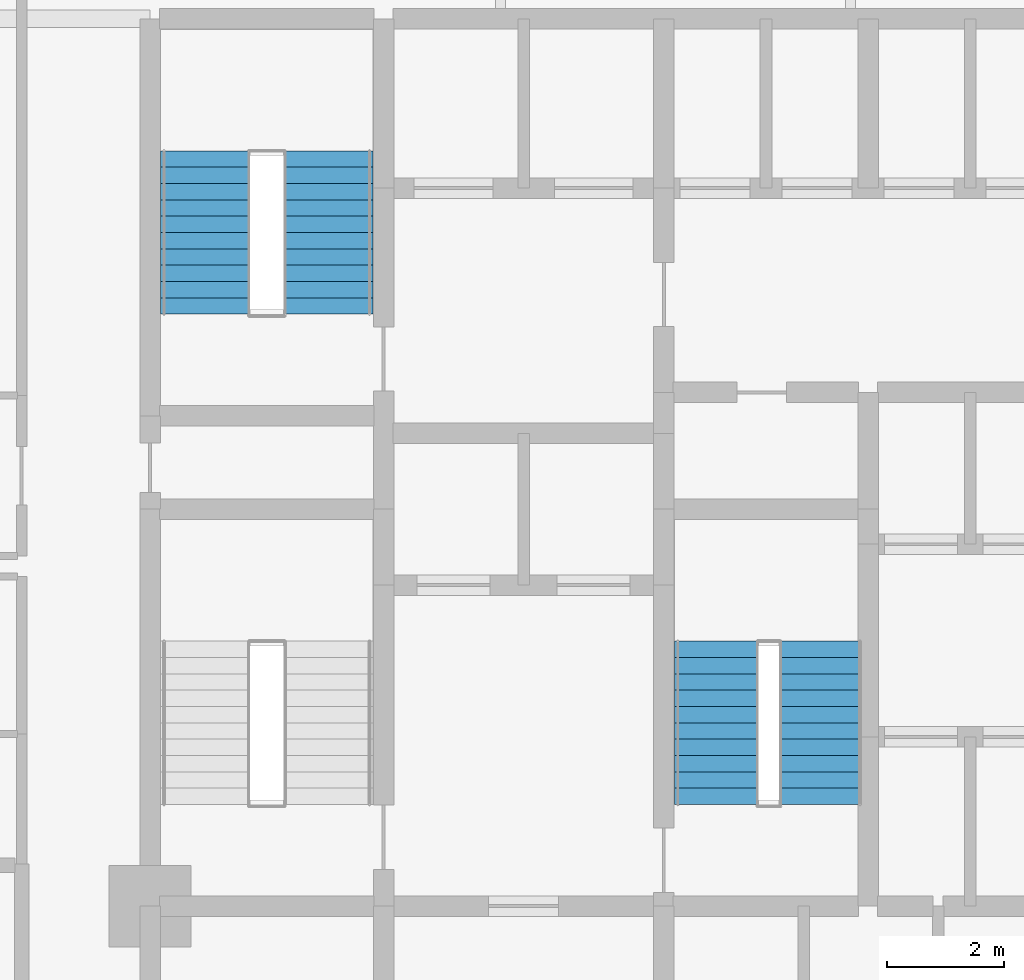
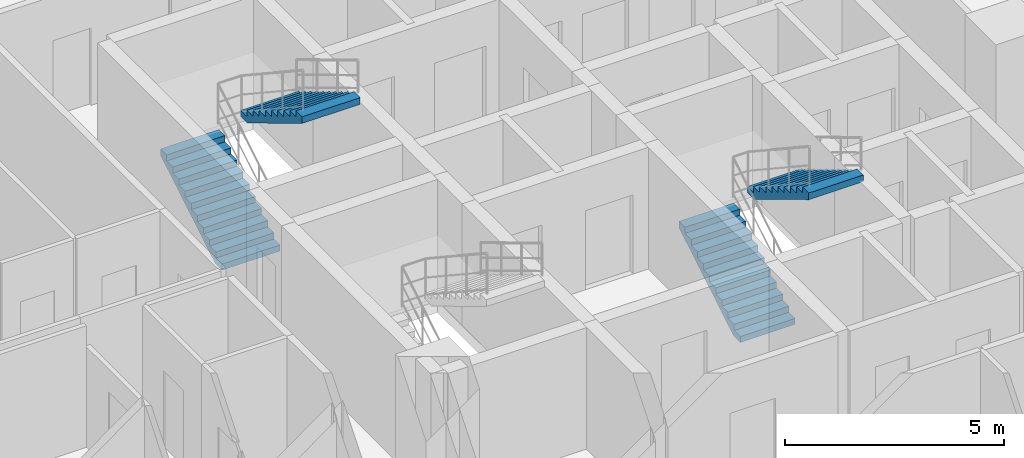
# One storey, part 32 of 34: 4 stair flights, 2 elements without a shape of their own.
"""IFC4 building model written with IfcOpenShell, lengths in metres."""

from ifc_helpers import new_model, si_unit, direction, frame, origin, place, context, subcontext, project, spatial, polyline, outline, extrude, material, type_object, element, aggregate, save


model = new_model("IFC4")

# Units and contexts
model_context = context("Model", 3, precision=1e-05, world=origin(), true_north=direction((0.0, 1.0)))
body_context = subcontext(model_context, "Body", "Model", "MODEL_VIEW")
ifc_project = project(units=[si_unit("LENGTHUNIT", "METRE"), si_unit("AREAUNIT", "SQUARE_METRE"), si_unit("VOLUMEUNIT", "CUBIC_METRE"), si_unit("PLANEANGLEUNIT", "RADIAN"), si_unit("MASSUNIT", "GRAM", prefix="KILO")], contexts=[model_context])

# Site, building, storey
site_placement = place(None, origin())
site = spatial("IfcSite", under=ifc_project, at=site_placement, CompositionType="ELEMENT")
building_placement = place(site_placement, origin())
building = spatial("IfcBuilding", under=site, at=building_placement, Name="Keshet Zoharim Tower", CompositionType="ELEMENT")
storey_placement = place(building_placement, frame((0.0, 0.0, 38.800048828125)))
storey = spatial("IfcBuildingStorey", under=building, at=storey_placement, Name="L08", CompositionType="ELEMENT", Elevation=38.800048828125)

# Stair, stair flights
ifc_material = material(Name="Concrete C50/60", Category="concrete")
stair_type = type_object("IfcStairType", Name="STR-EXIT-135", PredefinedType="HALF_TURN_STAIR", material=ifc_material)
stair_1_placement = place(storey_placement, origin())
stair_1 = element("IfcStair", 1, at=stair_1_placement, inside=storey, type_object=stair_type, Name="L08 Enclosed Exit Stair ST-02", PredefinedType="HALF_TURN_STAIR")
stair_flight_type_1 = type_object("IfcStairFlightType", Name="FLT-PRE-135", PredefinedType="STRAIGHT", material=ifc_material)
stair_flight_1_placement = place(storey_placement, frame((15.945068359375, 32.840087890625, 0.0), z_axis=(0.0, 0.0, 1.0), x_axis=(0.0, 1.0, 0.0)))
stair_flight_1 = element("IfcStairFlight", 2, at=stair_flight_1_placement, type_object=stair_flight_type_1, Name="ST-02 flight 1", NumberOfRisers=11, NumberOfTreads=10, PredefinedType="STRAIGHT", RiserHeight=0.168182, TreadLength=0.28, context=body_context, shape_type="SweptSolid", body=[
    extrude(outline(polyline([(0.0, 0.0), (0.0, 0.168212890625), (0.280029296875, 0.168212890625), (0.280029296875, 0.33642578125), (0.56005859375, 0.33642578125), (0.56005859375, 0.504638671875), (0.840087890625, 0.504638671875), (0.840087890625, 0.672607421875), (1.1201171875, 0.672607421875), (1.1201171875, 0.8408203125), (1.39990234375, 0.8408203125), (1.39990234375, 1.009033203125), (1.679931640625, 1.009033203125), (1.679931640625, 1.17724609375), (1.9599609375, 1.17724609375), (1.9599609375, 1.345458984375), (2.239990234375, 1.345458984375), (2.239990234375, 1.513671875), (2.52001953125, 1.513671875), (2.52001953125, 1.681884765625), (2.800048828125, 1.681884765625), (2.800048828125, 1.85009765625), (2.800048828125, 1.495361328125), (0.310546875, 0.0), (0.0, 0.0)])), frame((0.0, 0.76513671875, 0.0), z_axis=(0.0, -1.0, 0.0), x_axis=(1.0, 0.0, 0.0)), (0.0, 0.0, 1.0), 1.530029296875),
])
stair_flight_2_placement = place(storey_placement, frame((18.054931640625, 35.639892578125, 1.849853515625), z_axis=(0.0, 0.0, 1.0), x_axis=(0.0, -1.0, 0.0)))
stair_flight_2 = element("IfcStairFlight", 3, at=stair_flight_2_placement, type_object=stair_flight_type_1, Name="ST-02 flight 2", NumberOfRisers=11, NumberOfTreads=10, PredefinedType="STRAIGHT", RiserHeight=0.168182, TreadLength=0.28, context=body_context, shape_type="SweptSolid", body=[
    extrude(outline(polyline([(0.0, 0.0), (0.0, 0.168212890625), (0.280029296875, 0.168212890625), (0.280029296875, 0.33642578125), (0.56005859375, 0.33642578125), (0.56005859375, 0.504638671875), (0.840087890625, 0.504638671875), (0.840087890625, 0.672607421875), (1.1201171875, 0.672607421875), (1.1201171875, 0.8408203125), (1.39990234375, 0.8408203125), (1.39990234375, 1.009033203125), (1.679931640625, 1.009033203125), (1.679931640625, 1.17724609375), (1.9599609375, 1.17724609375), (1.9599609375, 1.345458984375), (2.239990234375, 1.345458984375), (2.239990234375, 1.513671875), (2.52001953125, 1.513671875), (2.52001953125, 1.681884765625), (2.800048828125, 1.681884765625), (2.800048828125, 1.85009765625), (2.800048828125, 1.495361328125), (0.310546875, 0.0), (0.0, 0.0)])), frame((0.0, 0.76513671875, 0.0), z_axis=(0.0, -1.0, 0.0), x_axis=(1.0, 0.0, 0.0)), (0.0, 0.0, 1.0), 1.530029296875),
])
aggregate(stair_1, [stair_flight_1, stair_flight_2])

stair_2_placement = place(storey_placement, origin())
stair_2 = element("IfcStair", 4, at=stair_2_placement, inside=storey, type_object=stair_type, Name="L08 Enclosed Exit Stair ST-03", PredefinedType="HALF_TURN_STAIR")
stair_flight_type_2 = type_object("IfcStairFlightType", Name="FLT-PRE-144", PredefinedType="STRAIGHT", material=ifc_material)
stair_flight_3_placement = place(storey_placement, frame((24.699951171875, 24.43994140625, 0.0), z_axis=(0.0, 0.0, 1.0), x_axis=(0.0, 1.0, 0.0)))
stair_flight_3 = element("IfcStairFlight", 5, at=stair_flight_3_placement, type_object=stair_flight_type_2, Name="ST-03 flight 1", NumberOfRisers=11, NumberOfTreads=10, PredefinedType="STRAIGHT", RiserHeight=0.168182, TreadLength=0.28, context=body_context, shape_type="SweptSolid", body=[
    extrude(outline(polyline([(0.0, 0.0), (0.0, 0.168212890625), (0.280029296875, 0.168212890625), (0.280029296875, 0.33642578125), (0.56005859375, 0.33642578125), (0.56005859375, 0.504638671875), (0.840087890625, 0.504638671875), (0.840087890625, 0.672607421875), (1.1201171875, 0.672607421875), (1.1201171875, 0.8408203125), (1.39990234375, 0.8408203125), (1.39990234375, 1.009033203125), (1.679931640625, 1.009033203125), (1.679931640625, 1.17724609375), (1.9599609375, 1.17724609375), (1.9599609375, 1.345458984375), (2.239990234375, 1.345458984375), (2.239990234375, 1.513671875), (2.52001953125, 1.513671875), (2.52001953125, 1.681884765625), (2.800048828125, 1.681884765625), (2.800048828125, 1.85009765625), (2.800048828125, 1.495361328125), (0.310546875, 0.0), (0.0, 0.0)])), frame((0.0, 0.719970703125, 0.0), z_axis=(0.0, -1.0, 0.0), x_axis=(1.0, 0.0, 0.0)), (0.0, 0.0, 1.0), 1.43994140625),
])
stair_flight_4_placement = place(storey_placement, frame((26.5, 27.239990234375, 1.849853515625), z_axis=(0.0, 0.0, 1.0), x_axis=(0.0, -1.0, 0.0)))
stair_flight_4 = element("IfcStairFlight", 6, at=stair_flight_4_placement, type_object=stair_flight_type_2, Name="ST-03 flight 2", NumberOfRisers=11, NumberOfTreads=10, PredefinedType="STRAIGHT", RiserHeight=0.168182, TreadLength=0.28, context=body_context, shape_type="SweptSolid", body=[
    extrude(outline(polyline([(0.0, 0.0), (0.0, 0.168212890625), (0.280029296875, 0.168212890625), (0.280029296875, 0.33642578125), (0.56005859375, 0.33642578125), (0.56005859375, 0.504638671875), (0.840087890625, 0.504638671875), (0.840087890625, 0.672607421875), (1.1201171875, 0.672607421875), (1.1201171875, 0.8408203125), (1.39990234375, 0.8408203125), (1.39990234375, 1.009033203125), (1.679931640625, 1.009033203125), (1.679931640625, 1.17724609375), (1.9599609375, 1.17724609375), (1.9599609375, 1.345458984375), (2.239990234375, 1.345458984375), (2.239990234375, 1.513671875), (2.52001953125, 1.513671875), (2.52001953125, 1.681884765625), (2.800048828125, 1.681884765625), (2.800048828125, 1.85009765625), (2.800048828125, 1.495361328125), (0.310546875, 0.0), (0.0, 0.0)])), frame((0.0, 0.719970703125, 0.0), z_axis=(0.0, -1.0, 0.0), x_axis=(1.0, 0.0, 0.0)), (0.0, 0.0, 1.0), 1.43994140625),
])
aggregate(stair_2, [stair_flight_3, stair_flight_4])

save(model, "model.ifc")
